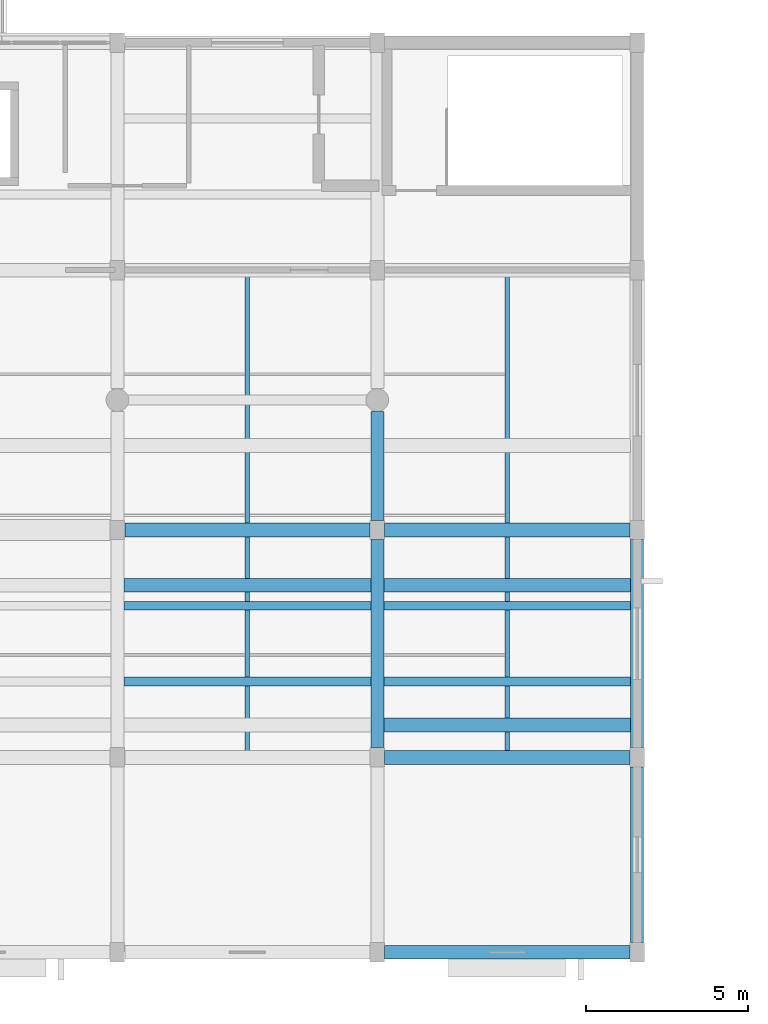
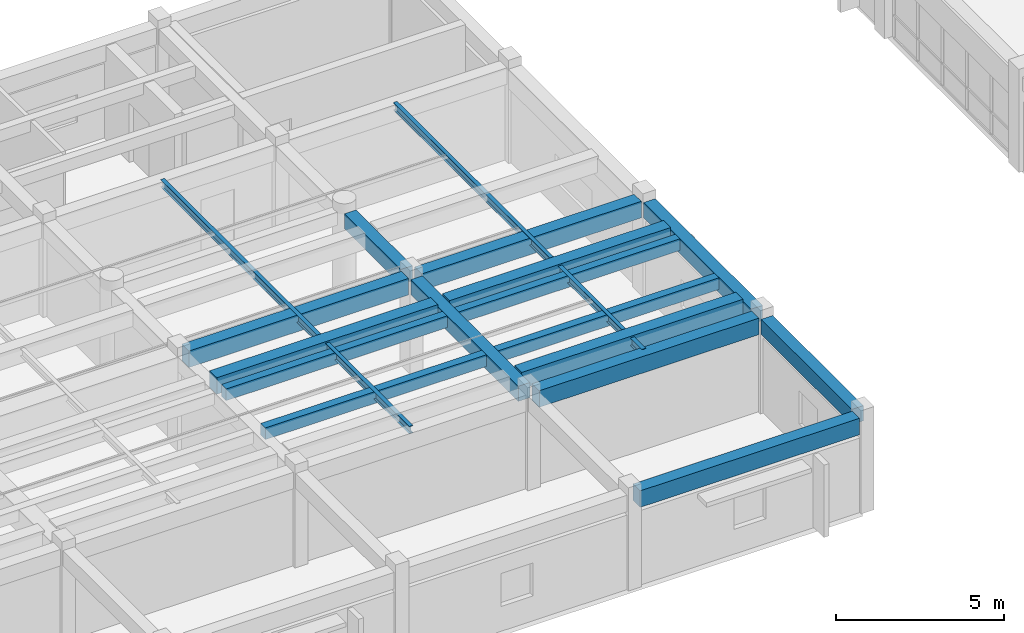
# One storey, part 4 of 33: 15 beams, 2 members.
"""IFC4 building model written with IfcOpenShell, lengths in metres."""

from ifc_helpers import new_model, si_unit, direction, frame, origin, origin_2d, place, context, subcontext, project, spatial, rectangle, i_section, extrude, material, material_profile, profile_set, type_object, element, save


model = new_model("IFC4")

# Units and contexts
model_context = context("Model", 3, precision=1e-05, world=origin(), true_north=direction((0.0, 1.0)))
body_context = subcontext(model_context, "Body", "Model", "MODEL_VIEW")
ifc_project = project(units=[si_unit("LENGTHUNIT", "METRE"), si_unit("AREAUNIT", "SQUARE_METRE"), si_unit("VOLUMEUNIT", "CUBIC_METRE"), si_unit("PLANEANGLEUNIT", "RADIAN"), si_unit("MASSUNIT", "GRAM", prefix="KILO")], contexts=[model_context])

# Site, building, storey
site_placement = place(None, origin())
site = spatial("IfcSite", under=ifc_project, at=site_placement, CompositionType="ELEMENT")
building_placement = place(site_placement, origin())
building = spatial("IfcBuilding", under=site, at=building_placement, Name="Naurynzar Civic Courthouse", CompositionType="ELEMENT")
storey_placement = place(building_placement, frame((0.0, 0.0, 22.050048828125)))
storey = spatial("IfcBuildingStorey", under=building, at=storey_placement, Name="L06", CompositionType="ELEMENT", Elevation=22.050048828125)

# Beams
ifc_material_1 = material(Name="Concrete C40/50", Category="concrete")
ifc_material_profile_1 = material_profile(ifc_material_1, rectangle(XDim=0.27490234375, YDim=0.425048828125, at=origin_2d()), Name="RCB 275x425")
ifc_profile_set_1 = profile_set([ifc_material_profile_1], Name="Concrete C40/50")
beam_type_1 = type_object("IfcBeamType", Name="BM-JST-275x425", PredefinedType="JOIST", material=ifc_profile_set_1)
for number, where, z_axis, x_axis, name in (
    (1, (101.199951171875, 12.333251953125, 3.217529296875), (1.0, 0.0, 0.0), (0.0, 1.0, 0.0), "V3 secondary rib 1686 L06"),
    (2, (101.199951171875, 14.666748046875, 3.217529296875), (1.0, 0.0, 0.0), (0.0, 1.0, 0.0), "V3 secondary rib 1687 L06"),
    (3, (109.199951171875, 12.333251953125, 3.217529296875), (1.0, 0.0, 0.0), (0.0, 1.0, 0.0), "V3 secondary rib 1688 L06"),
    (4, (109.199951171875, 14.666748046875, 3.217529296875), (1.0, 0.0, 0.0), (0.0, 1.0, 0.0), "V3 secondary rib 1689 L06"),
):
    element("IfcBeam", number, at=place(storey_placement, frame(where, z_axis=z_axis, x_axis=x_axis)), inside=storey, type_object=beam_type_1, Name=name, PredefinedType="JOIST", context=body_context, shape_type="SweptSolid", body=[
        extrude(rectangle(XDim=0.27490234375, YDim=0.425048828125, at=origin_2d()), origin(), (0.0, 0.0, 1.0), 7.60009765625),
    ])
ifc_material_2 = material(Name="Concrete C40/50", Category="concrete")
ifc_material_profile_2 = material_profile(ifc_material_2, rectangle(XDim=0.39990234375, YDim=0.550048828125, at=origin_2d()), Name="RCB 400x550")
ifc_profile_set_2 = profile_set([ifc_material_profile_2], Name="Concrete C40/50")
beam_type_2 = type_object("IfcBeamType", Name="BM-RC-400x550", PredefinedType="BEAM", material=ifc_profile_set_2)
beam_1_placement = place(storey_placement, frame((109.0, 10.300048828125, 3.155029296875), z_axis=(0.0, 1.0, 0.0), x_axis=(-1.0, 0.0, 0.0)))
element("IfcBeam", 5, at=beam_1_placement, inside=storey, type_object=beam_type_2, Name="V3 girder Y-1674 L06", PredefinedType="BEAM", context=body_context, shape_type="SweptSolid", body=[
    extrude(rectangle(XDim=0.39990234375, YDim=0.550048828125, at=origin_2d()), origin(), (0.0, 0.0, 1.0), 6.39990234375),
])
beam_2_placement = place(storey_placement, frame((109.0, 17.300048828125, 3.155029296875), z_axis=(0.0, 1.0, 0.0), x_axis=(-1.0, 0.0, 0.0)))
element("IfcBeam", 6, at=beam_2_placement, inside=storey, type_object=beam_type_2, Name="V3 girder Y-1675 L06", PredefinedType="BEAM", context=body_context, shape_type="SweptSolid", body=[
    extrude(rectangle(XDim=0.39990234375, YDim=0.550048828125, at=origin_2d()), origin(), (0.0, 0.0, 1.0), 3.349853515625),
])
beam_3_placement = place(storey_placement, frame((117.0, 4.300048828125, 3.155029296875), z_axis=(0.0, 1.0, 0.0), x_axis=(-1.0, 0.0, 0.0)))
element("IfcBeam", 7, at=beam_3_placement, inside=storey, type_object=beam_type_2, Name="V3 girder Y-1678 L06", PredefinedType="BEAM", context=body_context, shape_type="SweptSolid", body=[
    extrude(rectangle(XDim=0.39990234375, YDim=0.550048828125, at=origin_2d()), origin(), (0.0, 0.0, 1.0), 5.39990234375),
])
beam_4_placement = place(storey_placement, frame((117.0, 10.300048828125, 3.155029296875), z_axis=(0.0, 1.0, 0.0), x_axis=(-1.0, 0.0, 0.0)))
element("IfcBeam", 8, at=beam_4_placement, inside=storey, type_object=beam_type_2, Name="V3 girder Y-1679 L06", PredefinedType="BEAM", context=body_context, shape_type="SweptSolid", body=[
    extrude(rectangle(XDim=0.39990234375, YDim=0.550048828125, at=origin_2d()), origin(), (0.0, 0.0, 1.0), 6.39990234375),
])
ifc_material_3 = material(Name="Concrete C40/50", Category="concrete")
ifc_material_profile_3 = material_profile(ifc_material_3, rectangle(XDim=0.425048828125, YDim=0.60009765625, at=origin_2d()), Name="RCB 425x600")
ifc_profile_set_3 = profile_set([ifc_material_profile_3], Name="Concrete C40/50")
beam_type_3 = type_object("IfcBeamType", Name="BM-RC-425x600", PredefinedType="BEAM", material=ifc_profile_set_3)
for number, where, z_axis, x_axis, name in (
    (9, (109.22509765625, 4.0, 3.1298828125), (1.0, 0.0, 0.0), (0.0, 1.0, 0.0), "V3 beam X-1635 L06"),
    (10, (109.22509765625, 10.0, 3.1298828125), (1.0, 0.0, 0.0), (0.0, 1.0, 0.0), "V3 beam X-1640 L06"),
    (11, (101.22509765625, 17.0, 3.1298828125), (1.0, 0.0, 0.0), (0.0, 1.0, 0.0), "V3 beam X-1643 L06"),
    (12, (109.22509765625, 17.0, 3.1298828125), (1.0, 0.0, 0.0), (0.0, 1.0, 0.0), "V3 beam X-1644 L06"),
):
    element("IfcBeam", number, at=place(storey_placement, frame(where, z_axis=z_axis, x_axis=x_axis)), inside=storey, type_object=beam_type_3, Name=name, PredefinedType="BEAM", context=body_context, shape_type="SweptSolid", body=[
        extrude(rectangle(XDim=0.425048828125, YDim=0.60009765625, at=origin_2d()), origin(), (0.0, 0.0, 1.0), 7.5498046875),
    ])
for number, where, z_axis, x_axis, name in (
    (13, (109.199951171875, 11.0, 3.199951171875), (1.0, 0.0, 0.0), (0.0, 1.0, 0.0), "V3 clerestory valley beam 5"),
    (14, (101.199951171875, 15.300048828125, 3.199951171875), (1.0, 0.0, 0.0), (0.0, 1.0, 0.0), "V3 clerestory valley beam 9"),
    (15, (109.199951171875, 15.300048828125, 3.199951171875), (1.0, 0.0, 0.0), (0.0, 1.0, 0.0), "V3 clerestory valley beam 10"),
):
    element("IfcBeam", number, at=place(storey_placement, frame(where, z_axis=z_axis, x_axis=x_axis)), inside=storey, type_object=beam_type_3, Name=name, PredefinedType="BEAM", context=body_context, shape_type="SweptSolid", body=[
        extrude(rectangle(XDim=0.425048828125, YDim=0.60009765625, at=origin_2d()), origin(), (0.0, 0.0, 1.0), 7.60009765625),
    ])

# Members
ifc_material_4 = material(Name="Steel S355", Category="steel")
ifc_material_profile_4 = material_profile(ifc_material_4, i_section(OverallWidth=0.135009765625, OverallDepth=0.27001953125, WebThickness=0.006591796875, FlangeThickness=0.01025390625, FilletRadius=0.014892578125, at=origin_2d()), Name="IPE 270")
ifc_profile_set_4 = profile_set([ifc_material_profile_4], Name="Steel S355")
member_type = type_object("IfcMemberType", Name="MEM-RAFTER-IPE270", PredefinedType="RAFTER", material=ifc_profile_set_4)
for number, where, z_axis, x_axis, name in (
    (16, (105.0, 10.10009765625, 3.31005859375), (0.0, 1.0, 0.0), (-1.0, 0.0, 0.0), "Law Library clerestory rafter 4"),
    (17, (113.0, 10.10009765625, 3.31005859375), (0.0, 1.0, 0.0), (-1.0, 0.0, 0.0), "Law Library clerestory rafter 5"),
):
    element("IfcMember", number, at=place(storey_placement, frame(where, z_axis=z_axis, x_axis=x_axis)), inside=storey, type_object=member_type, Name=name, PredefinedType="RAFTER", context=body_context, shape_type="SweptSolid", body=[
        extrude(i_section(OverallWidth=0.135009765625, OverallDepth=0.27001953125, WebThickness=0.006591796875, FlangeThickness=0.01025390625, FilletRadius=0.014892578125, at=origin_2d()), origin(), (0.0, 0.0, 1.0), 14.7998046875),
    ])

save(model, "model.ifc")
